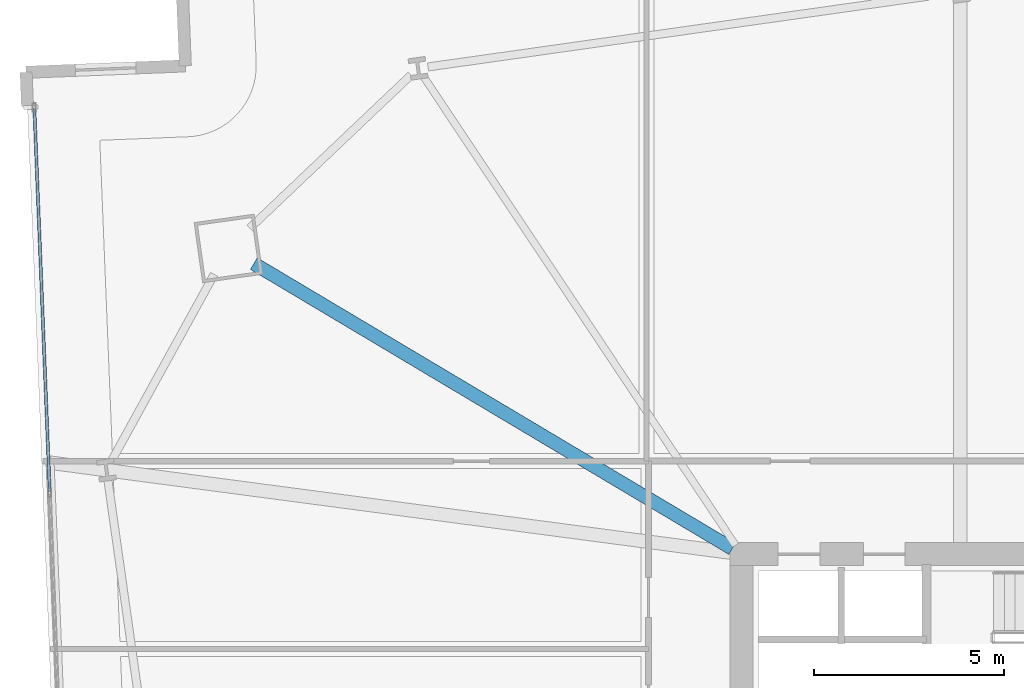
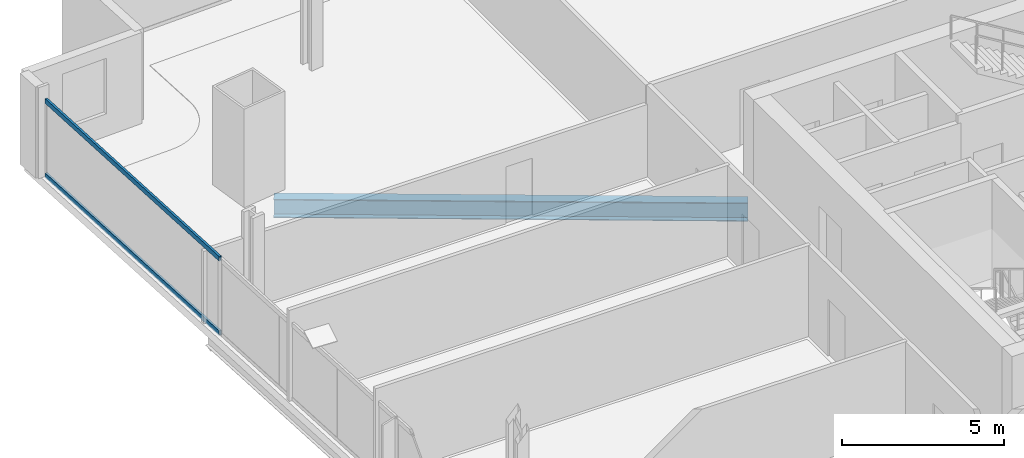
# One storey, part 15 of 32: 2 members, 1 beam, 1 element without a shape of its own.
"""IFC4 building model written with IfcOpenShell, lengths in metres."""

from ifc_helpers import new_model, si_unit, direction, frame, origin, origin_2d, place, context, subcontext, project, spatial, hollow_rectangle, i_section, extrude, material, material_profile, profile_set, type_object, element, aggregate, save


model = new_model("IFC4")

# Units and contexts
model_context = context("Model", 3, precision=1e-05, world=origin(), true_north=direction((0.0, 1.0)))
body_context = subcontext(model_context, "Body", "Model", "MODEL_VIEW")
ifc_project = project(units=[si_unit("LENGTHUNIT", "METRE"), si_unit("AREAUNIT", "SQUARE_METRE"), si_unit("VOLUMEUNIT", "CUBIC_METRE"), si_unit("PLANEANGLEUNIT", "RADIAN"), si_unit("MASSUNIT", "GRAM", prefix="KILO")], contexts=[model_context])

# Site, building, storey
site_placement = place(None, origin())
site = spatial("IfcSite", under=ifc_project, at=site_placement, CompositionType="ELEMENT")
building_placement = place(site_placement, origin())
building = spatial("IfcBuilding", under=site, at=building_placement, Name="Haldenkirk Collegiate Tower", CompositionType="ELEMENT")
storey_placement = place(building_placement, frame((0.0, 0.0, 36.449951171875)))
storey = spatial("IfcBuildingStorey", under=building, at=storey_placement, Name="L07", CompositionType="ELEMENT", Elevation=36.449951171875)

# Beam
ifc_material_1 = material(Name="Steel ASTM A992 Grade 50", Category="steel")
ifc_material_profile_1 = material_profile(ifc_material_1, i_section(OverallWidth=0.35498046875, OverallDepth=0.696044921875, WebThickness=0.015380859375, FlangeThickness=0.02490234375, at=origin_2d()), Name="W27X146")
ifc_profile_set_1 = profile_set([ifc_material_profile_1], Name="Steel ASTM A992 Grade 50")
beam_type = type_object("IfcBeamType", Name="BM-GIRDER-W27X146", PredefinedType="BEAM", material=ifc_profile_set_1)
beam_placement = place(storey_placement, frame((14.14990234375, 41.6552734375, -0.657958984375), z_axis=(0.859106056552, -0.511797600225, 0.0), x_axis=(0.511797600225, 0.859106056552, 0.0)))
element("IfcBeam", 1, at=beam_placement, inside=storey, type_object=beam_type, Name="L07 primary floor girder 04", PredefinedType="BEAM", context=body_context, shape_type="SweptSolid", body=[
    extrude(i_section(OverallWidth=0.35498046875, OverallDepth=0.696044921875, WebThickness=0.015380859375, FlangeThickness=0.02490234375, at=origin_2d()), origin(), (0.0, 0.0, 1.0), 14.677490234375),
])

# Curtain wall, members
ifc_material_2 = material(Name="Anodised architectural bronze aluminium", Category="aluminium")
curtain_wall_type = type_object("IfcCurtainWallType", Name="CW-SYS1-CONVEX-LOW", PredefinedType="USERDEFINED", material=ifc_material_2)
curtain_wall_placement = place(storey_placement, origin())
curtain_wall = element("IfcCurtainWall", 2, at=curtain_wall_placement, inside=storey, type_object=curtain_wall_type, Name="L07 Lower tower convex bronze-framed unitised curtain wall", ObjectType="UNITISED CURTAIN WALL", PredefinedType="USERDEFINED")
ifc_material_profile_2 = material_profile(ifc_material_2, hollow_rectangle(XDim=0.080078125, YDim=0.179931640625, WallThickness=0.0048828125, at=origin_2d()), Name="CW-TRN-1A")
ifc_profile_set_2 = profile_set([ifc_material_profile_2], Name="Anodised architectural bronze aluminium")
member_type = type_object("IfcMemberType", Name="CW-TRN-1A", PredefinedType="USERDEFINED", material=ifc_profile_set_2)
member_1_placement = place(storey_placement, frame((8.770751953125, 35.655029296875, 0.0400390625), z_axis=(-0.040133441677, 0.999194328877, 0.0), x_axis=(-0.999194328877, -0.040133441677, 0.0)))
member_1 = element("IfcMember", 3, at=member_1_placement, type_object=member_type, Name="CW-1A transom 4.1", ObjectType="TRANSOM", PredefinedType="USERDEFINED", context=body_context, shape_type="SweptSolid", body=[
    extrude(hollow_rectangle(XDim=0.080078125, YDim=0.179931640625, WallThickness=0.0048828125, at=origin_2d()), origin(), (0.0, 0.0, 1.0), 10.079833984375),
])
member_2_placement = place(storey_placement, frame((8.770751953125, 35.655029296875, 2.85107421875), z_axis=(-0.040133441677, 0.999194328877, 0.0), x_axis=(-0.999194328877, -0.040133441677, 0.0)))
member_2 = element("IfcMember", 4, at=member_2_placement, type_object=member_type, Name="CW-1A transom 4.2", ObjectType="TRANSOM", PredefinedType="USERDEFINED", context=body_context, shape_type="SweptSolid", body=[
    extrude(hollow_rectangle(XDim=0.080078125, YDim=0.179931640625, WallThickness=0.0048828125, at=origin_2d()), origin(), (0.0, 0.0, 1.0), 10.079833984375),
])
aggregate(curtain_wall, [member_1, member_2])

save(model, "model.ifc")
